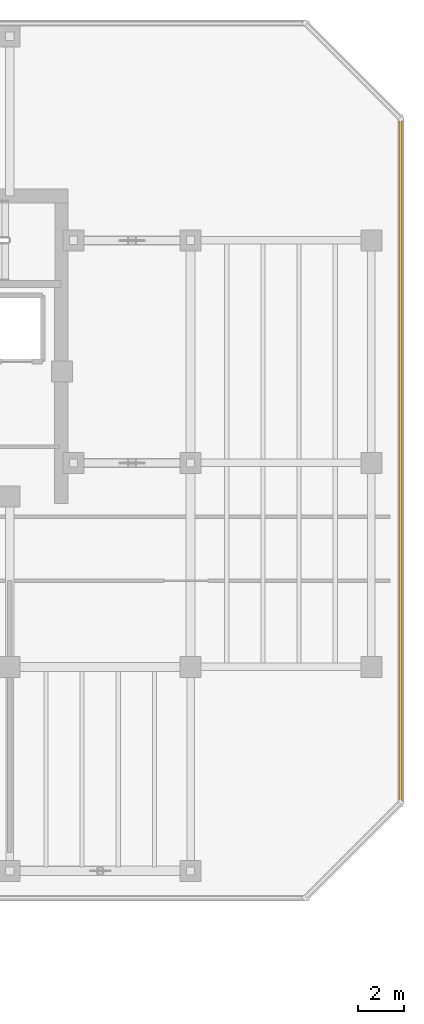
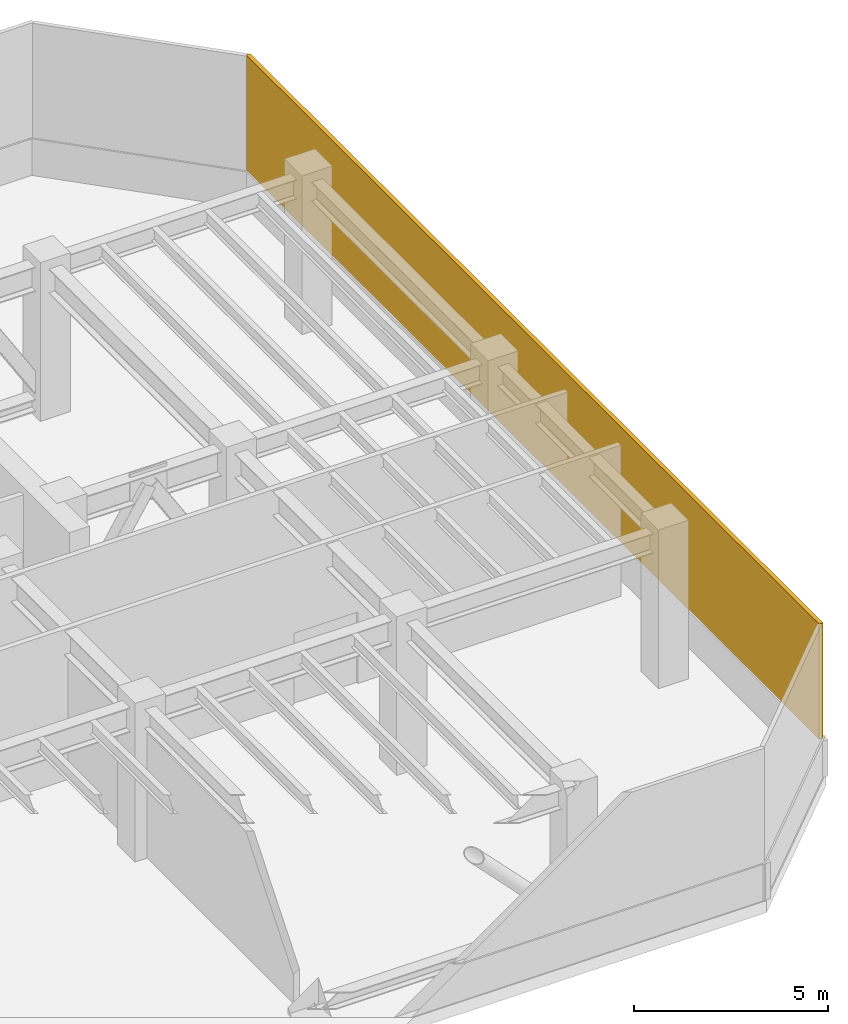
# One storey, part 9 of 9: 1 shading device.
"""IFC4 building model written with IfcOpenShell, lengths in metres."""

import ifcopenshell
import ifcopenshell.guid

model = None  # the IFC model being written
_history = None  # IfcOwnerHistory: only IFC2X3 demands one
_inside = {}  # id of a spatial element -> (the spatial element, [elements in it])
_under = {}  # id of a project, library or spatial element -> (it, [spatial elements below it])
_declared = {}  # id of a project -> (the project, [libraries it declares])
_typed = {}  # id of a type object -> (the type object, [elements of that type])
_made_of = {}  # id of a material, layer set ... -> (it, [elements and type objects made of it])


def new_model(schema):
    """Start an empty IFC model of exactly this schema.

    Asked for "IFC4X3", IfcOpenShell would pick the latest addendum, in which some entities
    have other attributes; the version numbers below select the first issue.
    IFC2X3 requires an IfcOwnerHistory on every rooted entity: one is made here for all.
    """
    global model, _history
    if schema == "IFC4X3":
        model = ifcopenshell.file(schema_version=(4, 3, 0, 0))
    else:
        model = ifcopenshell.file(schema=schema)
    _inside.clear()
    _under.clear()
    _declared.clear()
    _typed.clear()
    _made_of.clear()
    _history = None
    if model.schema == "IFC2X3":
        org = make("IfcOrganization", Name="unknown")
        user = make(
            "IfcPersonAndOrganization",
            ThePerson=make("IfcPerson", FamilyName="unknown"),
            TheOrganization=org,
        )
        app = make(
            "IfcApplication",
            ApplicationDeveloper=org,
            Version="unknown",
            ApplicationFullName="unknown",
            ApplicationIdentifier="unknown",
        )
        _history = make(
            "IfcOwnerHistory",
            OwningUser=user,
            OwningApplication=app,
            ChangeAction="ADDED",
            CreationDate=0,
        )
    return model


def make(cls, **values):
    """One entity of the class cls with the attributes given. An attribute that is None is left unset."""
    return model.create_entity(
        cls, **{name: value for name, value in values.items() if value is not None}
    )


def rooted(cls, **values):
    """An entity with a GlobalId (a new one), such as an element, a storey or a relation."""
    return make(cls, GlobalId=ifcopenshell.guid.new(), OwnerHistory=_history, **values)


def si_unit(unit_type, name, prefix=None):
    """IfcSIUnit, for example si_unit("LENGTHUNIT", "METRE", prefix="MILLI")."""
    return make("IfcSIUnit", UnitType=unit_type, Prefix=prefix, Name=name)


def assignment(units):
    """IfcUnitAssignment: the units of a project."""
    return None if units is None else make("IfcUnitAssignment", Units=units)


def point(xyz):
    """IfcCartesianPoint."""
    return None if xyz is None else make("IfcCartesianPoint", Coordinates=xyz)


def direction(xyz):
    """IfcDirection."""
    return None if xyz is None else make("IfcDirection", DirectionRatios=xyz)


def frame(location, z_axis=None, x_axis=None):
    """IfcAxis2Placement3D, a coordinate frame: its origin and axes. An axis left out is left unset."""
    return make(
        "IfcAxis2Placement3D",
        Location=point(location),
        Axis=direction(z_axis),
        RefDirection=direction(x_axis),
    )


def frame_2d(location, x_axis=None):
    """IfcAxis2Placement2D, a coordinate frame in the plane: its origin and x axis."""
    return make(
        "IfcAxis2Placement2D", Location=point(location), RefDirection=direction(x_axis)
    )


def origin():
    """The frame at (0, 0, 0) with its axes left unset."""
    return frame((0.0, 0.0, 0.0))


def origin_2d():
    """The frame at (0, 0) in the plane with its x axis left unset."""
    return frame_2d((0.0, 0.0))


def place(relative_to, where):
    """IfcLocalPlacement: puts the frame where relative to a parent placement (None: the world)."""
    return make(
        "IfcLocalPlacement", PlacementRelTo=relative_to, RelativePlacement=where
    )


def context(
    kind, dimensions, precision=None, world=None, true_north=None, identifier=None
):
    """IfcGeometricRepresentationContext, for example the 3D "Model" context."""
    return make(
        "IfcGeometricRepresentationContext",
        ContextIdentifier=identifier,
        ContextType=kind,
        CoordinateSpaceDimension=dimensions,
        Precision=precision,
        WorldCoordinateSystem=world,
        TrueNorth=true_north,
    )


def subcontext(parent, identifier, kind, view, scale=None):
    """IfcGeometricRepresentationSubContext, for example "Body" below "Model"."""
    return make(
        "IfcGeometricRepresentationSubContext",
        ContextIdentifier=identifier,
        ContextType=kind,
        ParentContext=parent,
        TargetScale=scale,
        TargetView=view,
    )


def project(units=None, contexts=None):
    """IfcProject with its units and contexts."""
    return rooted(
        "IfcProject",
        Name="project",
        RepresentationContexts=contexts,
        UnitsInContext=assignment(units),
    )


def spatial(cls, under=None, at=None, **own):
    """A site, building, storey or space (cls), placed at a placement, below another one or the project."""
    s = rooted(cls, ObjectPlacement=at, **own)
    if under is not None:
        _under.setdefault(under.id(), (under, []))[1].append(s)
    return s


def profile(cls, at=None, kind="AREA", **sizes):
    """A parametric profile (cls). Its sizes go by their IFC names, for example OverallWidth=200.0."""
    return make(cls, ProfileType=kind, Position=at, **sizes)


def rectangle(**sizes):
    """IfcRectangleProfileDef."""
    return profile("IfcRectangleProfileDef", **sizes)


def extrude(swept, where, along, depth):
    """IfcExtrudedAreaSolid: the profile swept, set in the frame where, extruded along a direction by depth."""
    return make(
        "IfcExtrudedAreaSolid",
        SweptArea=swept,
        Position=where,
        ExtrudedDirection=direction(along),
        Depth=depth,
    )


def shape(context_of_items, identifier, shape_type, items):
    """IfcShapeRepresentation: the items that make up one representation, for example the "Body"."""
    return make(
        "IfcShapeRepresentation",
        ContextOfItems=context_of_items,
        RepresentationIdentifier=identifier,
        RepresentationType=shape_type,
        Items=items,
    )


def material(Name=None, Category=None):
    """IfcMaterial."""
    return make("IfcMaterial", Name=Name, Category=Category)


def layer(
    of_material, thickness, ventilated=None, Name=None, Category=None, Priority=None
):
    """IfcMaterialLayer: one layer of a wall or slab, of a material (None: an air gap)."""
    return make(
        "IfcMaterialLayer",
        Material=of_material,
        LayerThickness=thickness,
        IsVentilated=ventilated,
        Name=Name,
        Category=Category,
        Priority=Priority,
    )


def layer_set(layers, Name=None):
    """IfcMaterialLayerSet."""
    return make("IfcMaterialLayerSet", MaterialLayers=layers, LayerSetName=Name)


def made_of(thing, what):
    """Note that an element or type object is made of a material, layer set ...; save() writes the relation."""
    if what is not None:
        _made_of.setdefault(what.id(), (what, []))[1].append(thing)
    return thing


def type_object(cls, material=None, **own):
    """A type object (cls), such as IfcWallType, which elements share."""
    return made_of(rooted(cls, **own), material)


def element(
    cls,
    number,
    at=None,
    inside=None,
    cuts=None,
    type_object=None,
    material=None,
    context=None,
    identifier="Body",
    shape_type=None,
    held_by="IfcProductDefinitionShape",
    body=None,
    shapes=None,
    **own,
):
    """One element of the class cls, such as IfcWall. Its Tag is "e" and its number.

    at: its placement. inside: the storey or other place that contains it. cuts: it is an
    opening in that element (IfcRelVoidsElement). A single representation is given by context,
    identifier, shape_type and body (its items); several are given by shapes. held_by: the class
    of the entity that holds the representations. save() writes the other relations.
    """
    e = rooted(cls, Tag="e%d" % number, ObjectPlacement=at, **own)
    if body is not None:
        shapes = [shape(context, identifier, shape_type, body)]
    if shapes is not None:
        e.Representation = make(held_by, Representations=shapes)
    if inside is not None:
        _inside.setdefault(inside.id(), (inside, []))[1].append(e)
    if cuts is not None:
        rooted(
            "IfcRelVoidsElement", RelatingBuildingElement=cuts, RelatedOpeningElement=e
        )
    if type_object is not None:
        _typed.setdefault(type_object.id(), (type_object, []))[1].append(e)
    return made_of(e, material)


def aggregate(whole, parts):
    """IfcRelAggregates: a whole, such as a stair, and the parts it consists of."""
    return rooted("IfcRelAggregates", RelatingObject=whole, RelatedObjects=parts)


def save(model, path):
    """Write the relations noted so far, then the file.

    IfcRelAggregates (storeys below a building ...), IfcRelContainedInSpatialStructure (elements
    in a storey), IfcRelDefinesByType, IfcRelAssociatesMaterial and IfcRelDeclares: one each for
    every whole, place, type object, material and project.
    """
    for whole, parts in _under.values():
        aggregate(whole, parts)
    for where, things in _inside.values():
        rooted(
            "IfcRelContainedInSpatialStructure",
            RelatedElements=things,
            RelatingStructure=where,
        )
    for kind, things in _typed.values():
        rooted("IfcRelDefinesByType", RelatedObjects=things, RelatingType=kind)
    for what, things in _made_of.values():
        rooted("IfcRelAssociatesMaterial", RelatedObjects=things, RelatingMaterial=what)
    for by, libraries in _declared.values():
        rooted("IfcRelDeclares", RelatingContext=by, RelatedDefinitions=libraries)
    model.write(path)


model = new_model("IFC4")

# Units and contexts
model_context = context("Model", 3, precision=1e-05, world=origin(), true_north=direction((0.0, 1.0)))
body_context = subcontext(model_context, "Body", "Model", "MODEL_VIEW")
ifc_project = project(units=[si_unit("LENGTHUNIT", "METRE"), si_unit("AREAUNIT", "SQUARE_METRE"), si_unit("VOLUMEUNIT", "CUBIC_METRE"), si_unit("PLANEANGLEUNIT", "RADIAN"), si_unit("MASSUNIT", "GRAM", prefix="KILO")], contexts=[model_context])

# Site, building, storey
site_placement = place(None, origin())
site = spatial("IfcSite", under=ifc_project, at=site_placement, CompositionType="ELEMENT")
building_placement = place(site_placement, origin())
building = spatial("IfcBuilding", under=site, at=building_placement, Name="Kestravale Grand Hotel", CompositionType="ELEMENT")
storey_placement = place(building_placement, frame((0.0, 0.0, 240.39990234375)))
storey = spatial("IfcBuildingStorey", under=building, at=storey_placement, Name="L60", CompositionType="ELEMENT", Elevation=240.39990234375)

# Shading device
ifc_material = material(Name="Anodised bronze storm-proof acoustic ventilation louvre", Category="aluminium")
ifc_layer = layer(ifc_material, 0.1201171875)
ifc_layer_set = layer_set([ifc_layer], Name="SHD-LVR-REF")
shading_device_type = type_object("IfcShadingDeviceType", Name="SHD-LVR-REF", PredefinedType="JALOUSIE", material=ifc_layer_set)
shading_device_placement = place(storey_placement, frame((71.4599609375, 28.89990234375, 1.130126953125), z_axis=(0.0, 0.0, 1.0), x_axis=(0.0, 1.0, 0.0)))
element("IfcShadingDevice", 1, at=shading_device_placement, inside=storey, type_object=shading_device_type, Name="L60 mechanical refuge chevron louvre 9", PredefinedType="JALOUSIE", context=body_context, shape_type="SweptSolid", body=[
    extrude(rectangle(XDim=29.580078125, YDim=0.1201171875, at=origin_2d()), origin(), (0.0, 0.0, 1.0), 3.6298828125),
])

save(model, "model.ifc")
